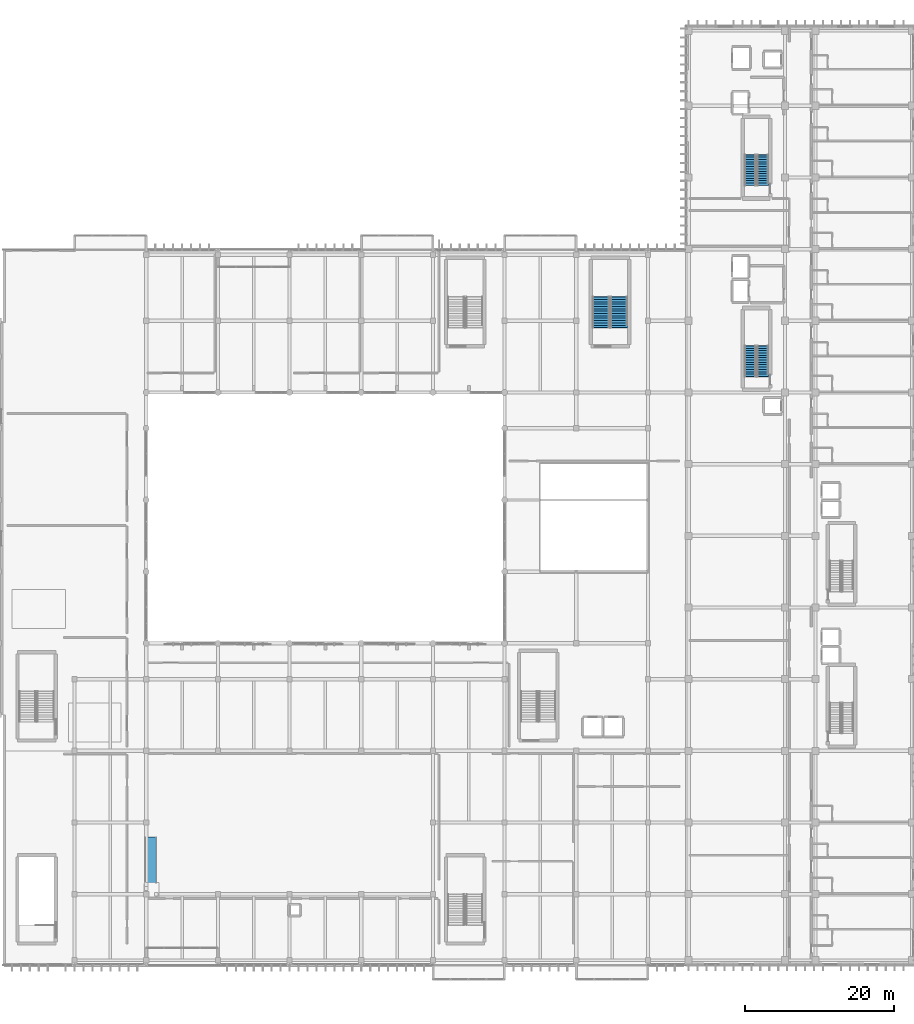
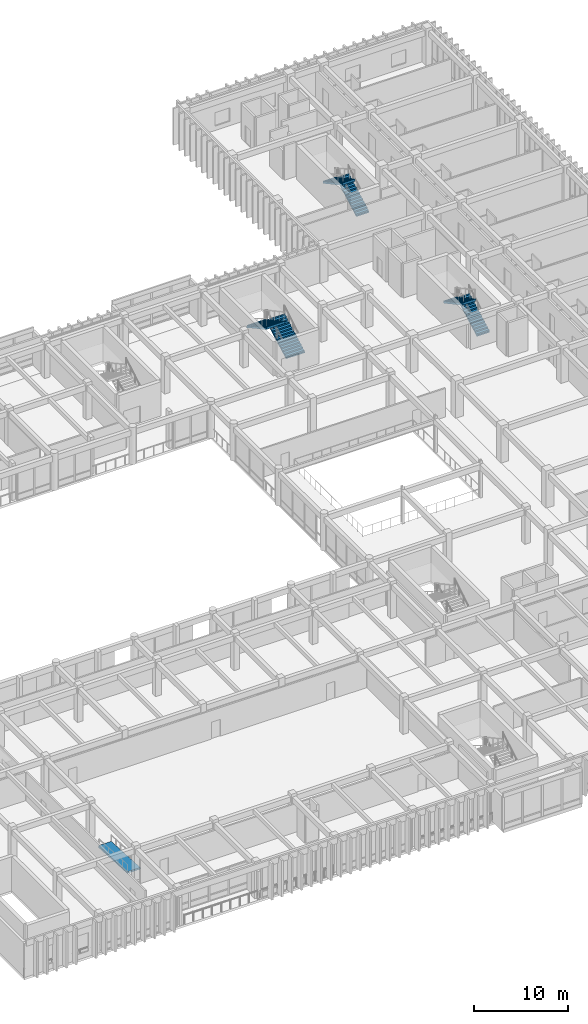
# One storey, part 110 of 133: 6 stair flights, 1 ramp flight, 4 elements without a shape of their own.
"""IFC4 building model written with IfcOpenShell, lengths in metres."""

from ifc_helpers import new_model, si_unit, direction, frame, origin, place, context, subcontext, project, spatial, polyline, outline, extrude, material, layer, layer_set, type_object, element, aggregate, save


model = new_model("IFC4")

# Units and contexts
model_context = context("Model", 3, precision=1e-05, world=origin(), true_north=direction((0.0, 1.0)))
body_context = subcontext(model_context, "Body", "Model", "MODEL_VIEW")
ifc_project = project(units=[si_unit("LENGTHUNIT", "METRE"), si_unit("AREAUNIT", "SQUARE_METRE"), si_unit("VOLUMEUNIT", "CUBIC_METRE"), si_unit("PLANEANGLEUNIT", "RADIAN"), si_unit("MASSUNIT", "GRAM", prefix="KILO")], contexts=[model_context])

# Site, building, storey
site_placement = place(None, origin())
site = spatial("IfcSite", under=ifc_project, at=site_placement, CompositionType="ELEMENT")
building_placement = place(site_placement, origin())
building = spatial("IfcBuilding", under=site, at=building_placement, Name="Nakhvara Creek Congress Hotel", CompositionType="ELEMENT")
storey_placement = place(building_placement, frame((0.0, 0.0, 11.39990234375)))
storey = spatial("IfcBuildingStorey", under=building, at=storey_placement, Name="L02", CompositionType="ELEMENT", Elevation=11.39990234375)

# Stair, stair flights
ifc_material = material(Name="Concrete C40/50", Category="concrete")
stair_type_1 = type_object("IfcStairType", Name="ST-CORE-160", PredefinedType="HALF_TURN_STAIR", material=ifc_material)
stair_1_placement = place(storey_placement, origin())
stair_1 = element("IfcStair", 1, at=stair_1_placement, inside=storey, type_object=stair_type_1, Name="L02 Protected Exit Stair ST01", PredefinedType="HALF_TURN_STAIR")
ifc_layer_1 = layer(ifc_material, 0.18994140625)
ifc_layer_set_1 = layer_set([ifc_layer_1], Name="Concrete C40/50")
stair_flight_type_1 = type_object("IfcStairFlightType", Name="SFL-RC-160", PredefinedType="STRAIGHT", material=ifc_layer_set_1)
stair_flight_1_placement = place(storey_placement, frame((159.3798828125, 78.93994140625, 0.0), z_axis=(0.0, 0.0, 1.0), x_axis=(0.0, 1.0, 0.0)))
stair_flight_1 = element("IfcStairFlight", 2, at=stair_flight_1_placement, type_object=stair_flight_type_1, Name="ST01 flight 1", NumberOfRisers=14, NumberOfTreads=13, PredefinedType="STRAIGHT", RiserHeight=0.171428571, TreadLength=0.315, context=body_context, shape_type="SweptSolid", body=[
    extrude(outline(polyline([(-0.048095703125, 0.0), (0.0, 0.0), (0.0, 0.17138671875), (0.31494140625, 0.17138671875), (0.31494140625, 0.3427734375), (0.6298828125, 0.3427734375), (0.6298828125, 0.514404296875), (0.945068359375, 0.514404296875), (0.945068359375, 0.685791015625), (1.260009765625, 0.685791015625), (1.260009765625, 0.857177734375), (1.574951171875, 0.857177734375), (1.574951171875, 1.028564453125), (1.889892578125, 1.028564453125), (1.889892578125, 1.199951171875), (2.205078125, 1.199951171875), (2.205078125, 1.371337890625), (2.52001953125, 1.371337890625), (2.52001953125, 1.54296875), (2.8349609375, 1.54296875), (2.8349609375, 1.71435546875), (3.14990234375, 1.71435546875), (3.14990234375, 1.8857421875), (3.465087890625, 1.8857421875), (3.465087890625, 2.05712890625), (3.780029296875, 2.05712890625), (3.780029296875, 2.228515625), (4.094970703125, 2.228515625), (4.094970703125, 2.39990234375), (4.14306640625, 2.39990234375), (4.14306640625, 2.25), (4.094970703125, 2.057861328125), (0.0380859375, -0.14990234375), (-0.048095703125, -0.14990234375), (-0.048095703125, 0.0)])), frame((0.0, 0.77001953125, 0.0), z_axis=(0.0, -1.0, 0.0), x_axis=(1.0, 0.0, 0.0)), (0.0, 0.0, 1.0), 1.5400390625),
])
stair_flight_2_placement = place(storey_placement, frame((157.68994140625, 83.034912109375, 2.400146484375), z_axis=(0.0, 0.0, 1.0), x_axis=(0.0, -1.0, 0.0)))
stair_flight_2 = element("IfcStairFlight", 3, at=stair_flight_2_placement, type_object=stair_flight_type_1, Name="ST01 flight 2", NumberOfRisers=14, NumberOfTreads=13, PredefinedType="STRAIGHT", RiserHeight=0.171428571, TreadLength=0.315, context=body_context, shape_type="SweptSolid", body=[
    extrude(outline(polyline([(-0.048095703125, 0.0), (0.0, 0.0), (0.0, 0.17138671875), (0.31494140625, 0.17138671875), (0.31494140625, 0.3427734375), (0.6298828125, 0.3427734375), (0.6298828125, 0.514404296875), (0.945068359375, 0.514404296875), (0.945068359375, 0.685791015625), (1.260009765625, 0.685791015625), (1.260009765625, 0.857177734375), (1.574951171875, 0.857177734375), (1.574951171875, 1.028564453125), (1.889892578125, 1.028564453125), (1.889892578125, 1.199951171875), (2.205078125, 1.199951171875), (2.205078125, 1.371337890625), (2.52001953125, 1.371337890625), (2.52001953125, 1.54296875), (2.8349609375, 1.54296875), (2.8349609375, 1.71435546875), (3.14990234375, 1.71435546875), (3.14990234375, 1.8857421875), (3.465087890625, 1.8857421875), (3.465087890625, 2.05712890625), (3.780029296875, 2.05712890625), (3.780029296875, 2.228515625), (4.094970703125, 2.228515625), (4.094970703125, 2.39990234375), (4.14306640625, 2.39990234375), (4.14306640625, 2.25), (4.094970703125, 2.057861328125), (0.0380859375, -0.14990234375), (-0.048095703125, -0.14990234375), (-0.048095703125, 0.0)])), frame((0.0, 0.77001953125, 0.0), z_axis=(0.0, -1.0, 0.0), x_axis=(1.0, 0.0, 0.0)), (0.0, 0.0, 1.0), 1.5400390625),
])
aggregate(stair_1, [stair_flight_1, stair_flight_2])

stair_2_placement = place(storey_placement, origin())
stair_2 = element("IfcStair", 4, at=stair_2_placement, inside=storey, type_object=stair_type_1, Name="L02 Protected Exit Stair ST02", PredefinedType="HALF_TURN_STAIR")
stair_flight_3_placement = place(storey_placement, frame((159.3798828125, 104.5400390625, 0.0), z_axis=(0.0, 0.0, 1.0), x_axis=(0.0, 1.0, 0.0)))
stair_flight_3 = element("IfcStairFlight", 5, at=stair_flight_3_placement, type_object=stair_flight_type_1, Name="ST02 flight 1", NumberOfRisers=14, NumberOfTreads=13, PredefinedType="STRAIGHT", RiserHeight=0.171428571, TreadLength=0.315, context=body_context, shape_type="SweptSolid", body=[
    extrude(outline(polyline([(-0.048095703125, 0.0), (0.0, 0.0), (0.0, 0.17138671875), (0.31494140625, 0.17138671875), (0.31494140625, 0.3427734375), (0.6298828125, 0.3427734375), (0.6298828125, 0.514404296875), (0.945068359375, 0.514404296875), (0.945068359375, 0.685791015625), (1.260009765625, 0.685791015625), (1.260009765625, 0.857177734375), (1.574951171875, 0.857177734375), (1.574951171875, 1.028564453125), (1.889892578125, 1.028564453125), (1.889892578125, 1.199951171875), (2.205078125, 1.199951171875), (2.205078125, 1.371337890625), (2.52001953125, 1.371337890625), (2.52001953125, 1.54296875), (2.8349609375, 1.54296875), (2.8349609375, 1.71435546875), (3.14990234375, 1.71435546875), (3.14990234375, 1.8857421875), (3.465087890625, 1.8857421875), (3.465087890625, 2.05712890625), (3.780029296875, 2.05712890625), (3.780029296875, 2.228515625), (4.094970703125, 2.228515625), (4.094970703125, 2.39990234375), (4.14306640625, 2.39990234375), (4.14306640625, 2.25), (4.094970703125, 2.057861328125), (0.0380859375, -0.14990234375), (-0.048095703125, -0.14990234375), (-0.048095703125, 0.0)])), frame((0.0, 0.77001953125, 0.0), z_axis=(0.0, -1.0, 0.0), x_axis=(1.0, 0.0, 0.0)), (0.0, 0.0, 1.0), 1.5400390625),
])
stair_flight_4_placement = place(storey_placement, frame((157.68994140625, 108.635009765625, 2.400146484375), z_axis=(0.0, 0.0, 1.0), x_axis=(0.0, -1.0, 0.0)))
stair_flight_4 = element("IfcStairFlight", 6, at=stair_flight_4_placement, type_object=stair_flight_type_1, Name="ST02 flight 2", NumberOfRisers=14, NumberOfTreads=13, PredefinedType="STRAIGHT", RiserHeight=0.171428571, TreadLength=0.315, context=body_context, shape_type="SweptSolid", body=[
    extrude(outline(polyline([(-0.048095703125, 0.0), (0.0, 0.0), (0.0, 0.17138671875), (0.31494140625, 0.17138671875), (0.31494140625, 0.3427734375), (0.6298828125, 0.3427734375), (0.6298828125, 0.514404296875), (0.945068359375, 0.514404296875), (0.945068359375, 0.685791015625), (1.260009765625, 0.685791015625), (1.260009765625, 0.857177734375), (1.574951171875, 0.857177734375), (1.574951171875, 1.028564453125), (1.889892578125, 1.028564453125), (1.889892578125, 1.199951171875), (2.205078125, 1.199951171875), (2.205078125, 1.371337890625), (2.52001953125, 1.371337890625), (2.52001953125, 1.54296875), (2.8349609375, 1.54296875), (2.8349609375, 1.71435546875), (3.14990234375, 1.71435546875), (3.14990234375, 1.8857421875), (3.465087890625, 1.8857421875), (3.465087890625, 2.05712890625), (3.780029296875, 2.05712890625), (3.780029296875, 2.228515625), (4.094970703125, 2.228515625), (4.094970703125, 2.39990234375), (4.14306640625, 2.39990234375), (4.14306640625, 2.25), (4.094970703125, 2.057861328125), (0.0380859375, -0.14990234375), (-0.048095703125, -0.14990234375), (-0.048095703125, 0.0)])), frame((0.0, 0.77001953125, 0.0), z_axis=(0.0, -1.0, 0.0), x_axis=(1.0, 0.0, 0.0)), (0.0, 0.0, 1.0), 1.5400390625),
])
aggregate(stair_2, [stair_flight_3, stair_flight_4])

stair_type_2 = type_object("IfcStairType", Name="ST-CORE-230", PredefinedType="HALF_TURN_STAIR", material=ifc_material)
stair_3_placement = place(storey_placement, origin())
stair_3 = element("IfcStair", 7, at=stair_3_placement, inside=storey, type_object=stair_type_2, Name="L02 Protected Exit Stair ST10", PredefinedType="HALF_TURN_STAIR")
ifc_layer_2 = layer(ifc_material, 0.219970703125)
ifc_layer_set_2 = layer_set([ifc_layer_2], Name="Concrete C40/50")
stair_flight_type_2 = type_object("IfcStairFlightType", Name="SFL-RC-230", PredefinedType="STRAIGHT", material=ifc_layer_set_2)
stair_flight_5_placement = place(storey_placement, frame((140.139892578125, 85.47998046875, 0.0), z_axis=(0.0, 0.0, 1.0), x_axis=(0.0, 1.0, 0.0)))
stair_flight_5 = element("IfcStairFlight", 8, at=stair_flight_5_placement, type_object=stair_flight_type_2, Name="ST10 flight 1", NumberOfRisers=14, NumberOfTreads=13, PredefinedType="STRAIGHT", RiserHeight=0.171428571, TreadLength=0.315, context=body_context, shape_type="SweptSolid", body=[
    extrude(outline(polyline([(-0.048095703125, 0.0), (0.0, 0.0), (0.0, 0.17138671875), (0.31494140625, 0.17138671875), (0.31494140625, 0.3427734375), (0.6298828125, 0.3427734375), (0.6298828125, 0.514404296875), (0.945068359375, 0.514404296875), (0.945068359375, 0.685791015625), (1.260009765625, 0.685791015625), (1.260009765625, 0.857177734375), (1.574951171875, 0.857177734375), (1.574951171875, 1.028564453125), (1.889892578125, 1.028564453125), (1.889892578125, 1.199951171875), (2.205078125, 1.199951171875), (2.205078125, 1.371337890625), (2.52001953125, 1.371337890625), (2.52001953125, 1.54296875), (2.8349609375, 1.54296875), (2.8349609375, 1.71435546875), (3.14990234375, 1.71435546875), (3.14990234375, 1.8857421875), (3.465087890625, 1.8857421875), (3.465087890625, 2.05712890625), (3.780029296875, 2.05712890625), (3.780029296875, 2.228515625), (4.094970703125, 2.228515625), (4.094970703125, 2.39990234375), (4.14306640625, 2.39990234375), (4.14306640625, 2.25), (4.094970703125, 2.057861328125), (0.0380859375, -0.14990234375), (-0.048095703125, -0.14990234375), (-0.048095703125, 0.0)])), frame((0.0, 1.14013671875, 0.0), z_axis=(0.0, -1.0, 0.0), x_axis=(1.0, 0.0, 0.0)), (0.0, 0.0, 1.0), 2.280029296875),
])
stair_flight_6_placement = place(storey_placement, frame((137.7099609375, 89.574951171875, 2.400146484375), z_axis=(0.0, 0.0, 1.0), x_axis=(0.0, -1.0, 0.0)))
stair_flight_6 = element("IfcStairFlight", 9, at=stair_flight_6_placement, type_object=stair_flight_type_2, Name="ST10 flight 2", NumberOfRisers=14, NumberOfTreads=13, PredefinedType="STRAIGHT", RiserHeight=0.171428571, TreadLength=0.315, context=body_context, shape_type="SweptSolid", body=[
    extrude(outline(polyline([(-0.048095703125, 0.0), (0.0, 0.0), (0.0, 0.17138671875), (0.31494140625, 0.17138671875), (0.31494140625, 0.3427734375), (0.6298828125, 0.3427734375), (0.6298828125, 0.514404296875), (0.945068359375, 0.514404296875), (0.945068359375, 0.685791015625), (1.260009765625, 0.685791015625), (1.260009765625, 0.857177734375), (1.574951171875, 0.857177734375), (1.574951171875, 1.028564453125), (1.889892578125, 1.028564453125), (1.889892578125, 1.199951171875), (2.205078125, 1.199951171875), (2.205078125, 1.371337890625), (2.52001953125, 1.371337890625), (2.52001953125, 1.54296875), (2.8349609375, 1.54296875), (2.8349609375, 1.71435546875), (3.14990234375, 1.71435546875), (3.14990234375, 1.8857421875), (3.465087890625, 1.8857421875), (3.465087890625, 2.05712890625), (3.780029296875, 2.05712890625), (3.780029296875, 2.228515625), (4.094970703125, 2.228515625), (4.094970703125, 2.39990234375), (4.14306640625, 2.39990234375), (4.14306640625, 2.25), (4.094970703125, 2.057861328125), (0.0380859375, -0.14990234375), (-0.048095703125, -0.14990234375), (-0.048095703125, 0.0)])), frame((0.0, 1.14013671875, 0.0), z_axis=(0.0, -1.0, 0.0), x_axis=(1.0, 0.0, 0.0)), (0.0, 0.0, 1.0), 2.280029296875),
])
aggregate(stair_3, [stair_flight_5, stair_flight_6])

# Ramp, ramp flight
ramp_type = type_object("IfcRampType", Name="RMP-PED-180", PredefinedType="STRAIGHT_RUN_RAMP", material=ifc_material)
ramp_placement = place(storey_placement, origin())
ramp = element("IfcRamp", 10, at=ramp_placement, inside=storey, type_object=ramp_type, Name="Accessible Pedestrian Ramp PR04", PredefinedType="STRAIGHT_RUN_RAMP")
ifc_layer_3 = layer(ifc_material, 0.219970703125)
ifc_layer_set_3 = layer_set([ifc_layer_3], Name="Concrete C40/50")
ramp_flight_type = type_object("IfcRampFlightType", Name="RFL-PED-180", PredefinedType="STRAIGHT", material=ifc_layer_set_3)
ramp_flight_placement = place(storey_placement, frame((77.39990234375, 17.14990234375, 0.0), z_axis=(0.0, 0.0, 1.0), x_axis=(0.0, -1.0, 0.0)))
ramp_flight = element("IfcRampFlight", 11, at=ramp_flight_placement, type_object=ramp_flight_type, Name="Accessible Ramp Flight PR04-F1", PredefinedType="STRAIGHT", context=body_context, shape_type="SweptSolid", body=[
    extrude(outline(polyline([(-0.080078125, 0.0), (6.080078125, 0.35009765625), (6.080078125, 0.130126953125), (-0.080078125, -0.219970703125), (-0.080078125, 0.0)])), frame((0.0, 0.800048828125, 0.0), z_axis=(0.0, -1.0, 0.0), x_axis=(1.0, 0.0, 0.0)), (0.0, 0.0, 1.0), 1.60009765625),
])
aggregate(ramp, [ramp_flight])

save(model, "model.ifc")
